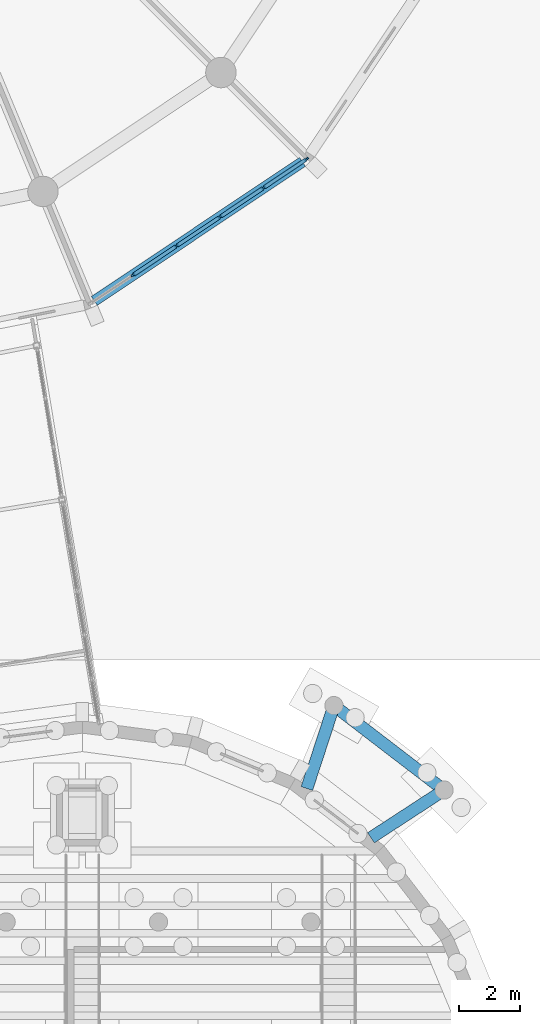
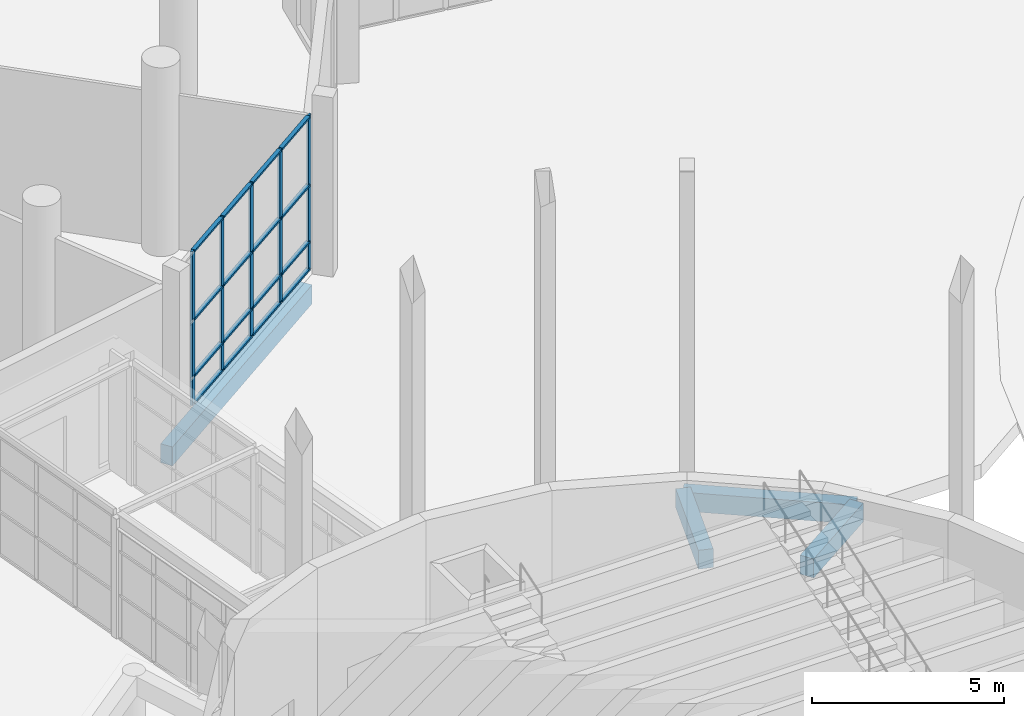
# One storey, part 63 of 226: 21 members, 4 beams, 1 element without a shape of its own.
"""IFC4 building model written with IfcOpenShell, lengths in metres."""

from ifc_helpers import new_model, si_unit, direction, frame, origin, origin_2d, place, context, subcontext, project, spatial, rectangle, extrude, material, material_profile, profile_set, type_object, element, aggregate, save


model = new_model("IFC4")

# Units and contexts
model_context = context("Model", 3, precision=1e-05, world=origin(), true_north=direction((0.0, 1.0)))
body_context = subcontext(model_context, "Body", "Model", "MODEL_VIEW")
ifc_project = project(units=[si_unit("LENGTHUNIT", "METRE"), si_unit("AREAUNIT", "SQUARE_METRE"), si_unit("VOLUMEUNIT", "CUBIC_METRE"), si_unit("PLANEANGLEUNIT", "RADIAN"), si_unit("MASSUNIT", "GRAM", prefix="KILO")], contexts=[model_context])

# Site, building, storey
site_placement = place(None, origin())
site = spatial("IfcSite", under=ifc_project, at=site_placement, CompositionType="ELEMENT")
building_placement = place(site_placement, origin())
building = spatial("IfcBuilding", under=site, at=building_placement, Name="Ceibo Conservatory and Research Tower", CompositionType="ELEMENT")
storey_placement = place(building_placement, origin())
storey = spatial("IfcBuildingStorey", under=building, at=storey_placement, Name="L00", CompositionType="ELEMENT", Elevation=0.0)

# Curtain wall, members
ifc_material_1 = material(Name="Aluminium and glass", Category="aluminium")
curtain_wall_type = type_object("IfcCurtainWallType", Name="Curtain wall CW1", PredefinedType="NOTDEFINED", material=ifc_material_1)
curtain_wall_placement = place(storey_placement, origin())
curtain_wall = element("IfcCurtainWall", 1, at=curtain_wall_placement, inside=storey, type_object=curtain_wall_type, Name="CW-00.14", PredefinedType="NOTDEFINED")
ifc_material_2 = material(Name="Aluminium", Category="aluminium")
ifc_material_profile_1 = material_profile(ifc_material_2, rectangle(XDim=0.06005859375, YDim=0.159912109375, at=origin_2d()), Name="Aluminium 60 x 160")
ifc_profile_set_1 = profile_set([ifc_material_profile_1], Name="Aluminium")
member_type_1 = type_object("IfcMemberType", Name="Aluminium mullion 60 x 160", PredefinedType="MULLION", material=ifc_profile_set_1)
member_1_placement = place(storey_placement, frame((57.846435546875, 100.62841796875, 0.0), z_axis=(0.0, 0.0, 1.0), x_axis=(-0.555570307219, 0.831469562724, 0.0)))
member_1 = element("IfcMember", 2, at=member_1_placement, type_object=member_type_1, Name="CW-00.14 mullion 2", PredefinedType="MULLION", context=body_context, shape_type="SweptSolid", body=[
    extrude(rectangle(XDim=0.06005859375, YDim=0.159912109375, at=origin_2d()), origin(), (0.0, 0.0, 1.0), 4.89990234375),
])
member_2_placement = place(storey_placement, frame((59.27392578125, 101.582275390625, 0.0), z_axis=(0.0, 0.0, 1.0), x_axis=(-0.555570307219, 0.831469562724, 0.0)))
member_2 = element("IfcMember", 3, at=member_2_placement, type_object=member_type_1, Name="CW-00.14 mullion 3", PredefinedType="MULLION", context=body_context, shape_type="SweptSolid", body=[
    extrude(rectangle(XDim=0.06005859375, YDim=0.159912109375, at=origin_2d()), origin(), (0.0, 0.0, 1.0), 4.89990234375),
])
member_3_placement = place(storey_placement, frame((60.701416015625, 102.5361328125, 0.0), z_axis=(0.0, 0.0, 1.0), x_axis=(-0.555570307219, 0.831469562724, 0.0)))
member_3 = element("IfcMember", 4, at=member_3_placement, type_object=member_type_1, Name="CW-00.14 mullion 4", PredefinedType="MULLION", context=body_context, shape_type="SweptSolid", body=[
    extrude(rectangle(XDim=0.06005859375, YDim=0.159912109375, at=origin_2d()), origin(), (0.0, 0.0, 1.0), 4.89990234375),
])
member_4_placement = place(storey_placement, frame((62.12890625, 103.48974609375, 0.0), z_axis=(0.0, 0.0, 1.0), x_axis=(-0.555570307219, 0.831469562724, 0.0)))
member_4 = element("IfcMember", 5, at=member_4_placement, type_object=member_type_1, Name="CW-00.14 mullion 5", PredefinedType="MULLION", context=body_context, shape_type="SweptSolid", body=[
    extrude(rectangle(XDim=0.06005859375, YDim=0.159912109375, at=origin_2d()), origin(), (0.0, 0.0, 1.0), 4.89990234375),
])
member_5_placement = place(storey_placement, frame((63.531494140625, 104.427001953125, 0.0), z_axis=(0.0, 0.0, 1.0), x_axis=(-0.555570307219, 0.831469562724, 0.0)))
member_5 = element("IfcMember", 6, at=member_5_placement, type_object=member_type_1, Name="CW-00.14 mullion 6", PredefinedType="MULLION", context=body_context, shape_type="SweptSolid", body=[
    extrude(rectangle(XDim=0.06005859375, YDim=0.159912109375, at=origin_2d()), origin(), (0.0, 0.0, 1.0), 4.89990234375),
])
ifc_material_profile_2 = material_profile(ifc_material_2, rectangle(XDim=0.1201171875, YDim=0.06005859375, at=origin_2d()), Name="Aluminium 60 x 120")
ifc_profile_set_2 = profile_set([ifc_material_profile_2], Name="Aluminium")
member_type_2 = type_object("IfcMemberType", Name="Aluminium transom 60 x 120", PredefinedType="USERDEFINED", material=ifc_profile_set_2)
member_6_placement = place(storey_placement, frame((57.871337890625, 100.64501953125, 0.030029296875), z_axis=(0.831437761556, 0.555617898073, 0.0), x_axis=(-0.555617898073, 0.831437761556, 0.0)))
member_6 = element("IfcMember", 7, at=member_6_placement, type_object=member_type_2, Name="CW-00.14 transom 2.1", ObjectType="TRANSOM", PredefinedType="USERDEFINED", context=body_context, shape_type="SweptSolid", body=[
    extrude(rectangle(XDim=0.1201171875, YDim=0.06005859375, at=origin_2d()), origin(), (0.0, 0.0, 1.0), 1.656982421875),
])
member_7_placement = place(storey_placement, frame((57.871337890625, 100.64501953125, 0.89990234375), z_axis=(0.831437761556, 0.555617898073, 0.0), x_axis=(-0.555617898073, 0.831437761556, 0.0)))
member_7 = element("IfcMember", 8, at=member_7_placement, type_object=member_type_2, Name="CW-00.14 transom 2.2", ObjectType="TRANSOM", PredefinedType="USERDEFINED", context=body_context, shape_type="SweptSolid", body=[
    extrude(rectangle(XDim=0.1201171875, YDim=0.06005859375, at=origin_2d()), origin(), (0.0, 0.0, 1.0), 1.656982421875),
])
member_8_placement = place(storey_placement, frame((57.871337890625, 100.64501953125, 2.699951171875), z_axis=(0.831437761556, 0.555617898073, 0.0), x_axis=(-0.555617898073, 0.831437761556, 0.0)))
member_8 = element("IfcMember", 9, at=member_8_placement, type_object=member_type_2, Name="CW-00.14 transom 2.3", ObjectType="TRANSOM", PredefinedType="USERDEFINED", context=body_context, shape_type="SweptSolid", body=[
    extrude(rectangle(XDim=0.1201171875, YDim=0.06005859375, at=origin_2d()), origin(), (0.0, 0.0, 1.0), 1.656982421875),
])
member_9_placement = place(storey_placement, frame((57.871337890625, 100.64501953125, 4.8701171875), z_axis=(0.831437761556, 0.555617898073, 0.0), x_axis=(-0.555617898073, 0.831437761556, 0.0)))
member_9 = element("IfcMember", 10, at=member_9_placement, type_object=member_type_2, Name="CW-00.14 transom 2.4", ObjectType="TRANSOM", PredefinedType="USERDEFINED", context=body_context, shape_type="SweptSolid", body=[
    extrude(rectangle(XDim=0.1201171875, YDim=0.06005859375, at=origin_2d()), origin(), (0.0, 0.0, 1.0), 1.656982421875),
])
member_10_placement = place(storey_placement, frame((59.298828125, 101.598876953125, 0.030029296875), z_axis=(0.831505826173, 0.555516031308, 0.0), x_axis=(-0.555516031308, 0.831505826173, 0.0)))
member_10 = element("IfcMember", 11, at=member_10_placement, type_object=member_type_2, Name="CW-00.14 transom 3.1", ObjectType="TRANSOM", PredefinedType="USERDEFINED", context=body_context, shape_type="SweptSolid", body=[
    extrude(rectangle(XDim=0.1201171875, YDim=0.06005859375, at=origin_2d()), origin(), (0.0, 0.0, 1.0), 1.65673828125),
])
member_11_placement = place(storey_placement, frame((59.298828125, 101.598876953125, 0.89990234375), z_axis=(0.831505826173, 0.555516031308, 0.0), x_axis=(-0.555516031308, 0.831505826173, 0.0)))
member_11 = element("IfcMember", 12, at=member_11_placement, type_object=member_type_2, Name="CW-00.14 transom 3.2", ObjectType="TRANSOM", PredefinedType="USERDEFINED", context=body_context, shape_type="SweptSolid", body=[
    extrude(rectangle(XDim=0.1201171875, YDim=0.06005859375, at=origin_2d()), origin(), (0.0, 0.0, 1.0), 1.65673828125),
])
member_12_placement = place(storey_placement, frame((59.298828125, 101.598876953125, 2.699951171875), z_axis=(0.831505826173, 0.555516031308, 0.0), x_axis=(-0.555516031308, 0.831505826173, 0.0)))
member_12 = element("IfcMember", 13, at=member_12_placement, type_object=member_type_2, Name="CW-00.14 transom 3.3", ObjectType="TRANSOM", PredefinedType="USERDEFINED", context=body_context, shape_type="SweptSolid", body=[
    extrude(rectangle(XDim=0.1201171875, YDim=0.06005859375, at=origin_2d()), origin(), (0.0, 0.0, 1.0), 1.65673828125),
])
member_13_placement = place(storey_placement, frame((59.298828125, 101.598876953125, 4.8701171875), z_axis=(0.831505826173, 0.555516031308, 0.0), x_axis=(-0.555516031308, 0.831505826173, 0.0)))
member_13 = element("IfcMember", 14, at=member_13_placement, type_object=member_type_2, Name="CW-00.14 transom 3.4", ObjectType="TRANSOM", PredefinedType="USERDEFINED", context=body_context, shape_type="SweptSolid", body=[
    extrude(rectangle(XDim=0.1201171875, YDim=0.06005859375, at=origin_2d()), origin(), (0.0, 0.0, 1.0), 1.65673828125),
])
member_14_placement = place(storey_placement, frame((60.726318359375, 102.552734375, 0.030029296875), z_axis=(0.831505826173, 0.555516031308, 0.0), x_axis=(-0.555516031308, 0.831505826173, 0.0)))
member_14 = element("IfcMember", 15, at=member_14_placement, type_object=member_type_2, Name="CW-00.14 transom 4.1", ObjectType="TRANSOM", PredefinedType="USERDEFINED", context=body_context, shape_type="SweptSolid", body=[
    extrude(rectangle(XDim=0.1201171875, YDim=0.06005859375, at=origin_2d()), origin(), (0.0, 0.0, 1.0), 1.65673828125),
])
member_15_placement = place(storey_placement, frame((60.726318359375, 102.552734375, 0.89990234375), z_axis=(0.831505826173, 0.555516031308, 0.0), x_axis=(-0.555516031308, 0.831505826173, 0.0)))
member_15 = element("IfcMember", 16, at=member_15_placement, type_object=member_type_2, Name="CW-00.14 transom 4.2", ObjectType="TRANSOM", PredefinedType="USERDEFINED", context=body_context, shape_type="SweptSolid", body=[
    extrude(rectangle(XDim=0.1201171875, YDim=0.06005859375, at=origin_2d()), origin(), (0.0, 0.0, 1.0), 1.65673828125),
])
member_16_placement = place(storey_placement, frame((60.726318359375, 102.552734375, 2.699951171875), z_axis=(0.831505826173, 0.555516031308, 0.0), x_axis=(-0.555516031308, 0.831505826173, 0.0)))
member_16 = element("IfcMember", 17, at=member_16_placement, type_object=member_type_2, Name="CW-00.14 transom 4.3", ObjectType="TRANSOM", PredefinedType="USERDEFINED", context=body_context, shape_type="SweptSolid", body=[
    extrude(rectangle(XDim=0.1201171875, YDim=0.06005859375, at=origin_2d()), origin(), (0.0, 0.0, 1.0), 1.65673828125),
])
member_17_placement = place(storey_placement, frame((60.726318359375, 102.552734375, 4.8701171875), z_axis=(0.831505826173, 0.555516031308, 0.0), x_axis=(-0.555516031308, 0.831505826173, 0.0)))
member_17 = element("IfcMember", 18, at=member_17_placement, type_object=member_type_2, Name="CW-00.14 transom 4.4", ObjectType="TRANSOM", PredefinedType="USERDEFINED", context=body_context, shape_type="SweptSolid", body=[
    extrude(rectangle(XDim=0.1201171875, YDim=0.06005859375, at=origin_2d()), origin(), (0.0, 0.0, 1.0), 1.65673828125),
])
member_18_placement = place(storey_placement, frame((62.15380859375, 103.506591796875, 0.030029296875), z_axis=(0.831449482525, 0.555600358179, 0.0), x_axis=(-0.555600358179, 0.831449482525, 0.0)))
member_18 = element("IfcMember", 19, at=member_18_placement, type_object=member_type_2, Name="CW-00.14 transom 5.1", ObjectType="TRANSOM", PredefinedType="USERDEFINED", context=body_context, shape_type="SweptSolid", body=[
    extrude(rectangle(XDim=0.1201171875, YDim=0.06005859375, at=origin_2d()), origin(), (0.0, 0.0, 1.0), 1.626708984375),
])
member_19_placement = place(storey_placement, frame((62.15380859375, 103.506591796875, 0.89990234375), z_axis=(0.831449482525, 0.555600358179, 0.0), x_axis=(-0.555600358179, 0.831449482525, 0.0)))
member_19 = element("IfcMember", 20, at=member_19_placement, type_object=member_type_2, Name="CW-00.14 transom 5.2", ObjectType="TRANSOM", PredefinedType="USERDEFINED", context=body_context, shape_type="SweptSolid", body=[
    extrude(rectangle(XDim=0.1201171875, YDim=0.06005859375, at=origin_2d()), origin(), (0.0, 0.0, 1.0), 1.626708984375),
])
member_20_placement = place(storey_placement, frame((62.15380859375, 103.506591796875, 2.699951171875), z_axis=(0.831449482525, 0.555600358179, 0.0), x_axis=(-0.555600358179, 0.831449482525, 0.0)))
member_20 = element("IfcMember", 21, at=member_20_placement, type_object=member_type_2, Name="CW-00.14 transom 5.3", ObjectType="TRANSOM", PredefinedType="USERDEFINED", context=body_context, shape_type="SweptSolid", body=[
    extrude(rectangle(XDim=0.1201171875, YDim=0.06005859375, at=origin_2d()), origin(), (0.0, 0.0, 1.0), 1.626708984375),
])
member_21_placement = place(storey_placement, frame((62.15380859375, 103.506591796875, 4.8701171875), z_axis=(0.831449482525, 0.555600358179, 0.0), x_axis=(-0.555600358179, 0.831449482525, 0.0)))
member_21 = element("IfcMember", 22, at=member_21_placement, type_object=member_type_2, Name="CW-00.14 transom 5.4", ObjectType="TRANSOM", PredefinedType="USERDEFINED", context=body_context, shape_type="SweptSolid", body=[
    extrude(rectangle(XDim=0.1201171875, YDim=0.06005859375, at=origin_2d()), origin(), (0.0, 0.0, 1.0), 1.626708984375),
])
aggregate(curtain_wall, [member_1, member_2, member_3, member_4, member_5, member_6, member_7, member_8, member_9, member_10, member_11, member_12, member_13, member_14, member_15, member_16, member_17, member_18, member_19, member_20, member_21])

# Beams
ifc_material_3 = material(Name="Concrete C35/45", Category="concrete")
ifc_material_profile_3 = material_profile(ifc_material_3, rectangle(XDim=0.35009765625, YDim=0.60009765625, at=origin_2d()), Name="RC 350x600")
ifc_profile_set_3 = profile_set([ifc_material_profile_3], Name="Concrete C35/45")
beam_type_1 = type_object("IfcBeamType", Name="RC beam 350x600 C35", PredefinedType="BEAM", material=ifc_profile_set_3)
beam_1_placement = place(storey_placement, frame((56.572021484375, 99.77685546875, -0.64990234375), z_axis=(0.831460092327, 0.555584480406, 0.0), x_axis=(-0.555584480406, 0.831460092327, 0.0)))
element("IfcBeam", 23, at=beam_1_placement, inside=storey, type_object=beam_type_1, Name="Edge beam 14 L00", PredefinedType="BEAM", context=body_context, shape_type="SweptSolid", body=[
    extrude(rectangle(XDim=0.35009765625, YDim=0.60009765625, at=origin_2d()), origin(), (0.0, 0.0, 1.0), 8.216064453125),
])
ifc_material_profile_4 = material_profile(ifc_material_3, rectangle(XDim=0.39990234375, YDim=0.60009765625, at=origin_2d()), Name="RC 400x600")
ifc_profile_set_4 = profile_set([ifc_material_profile_4], Name="Concrete C35/45")
beam_type_2 = type_object("IfcBeamType", Name="RC beam 400x600 C35", PredefinedType="BEAM", material=ifc_profile_set_4)
beam_2_placement = place(storey_placement, frame((68.0498046875, 83.72802734375, 3.300048828125), z_axis=(-0.793358692504, 0.608754453805, 0.0), x_axis=(-0.608754453805, -0.793358692504, 0.0)))
element("IfcBeam", 24, at=beam_2_placement, inside=storey, type_object=beam_type_2, Name="Canopy edge beam F04", PredefinedType="BEAM", context=body_context, shape_type="SweptSolid", body=[
    extrude(rectangle(XDim=0.39990234375, YDim=0.60009765625, at=origin_2d()), origin(), (0.0, 0.0, 1.0), 4.5546875),
])
for number, where, z_axis, x_axis, name in (
    (25, (68.0498046875, 83.72802734375, 3.300048828125), (-0.837585143535, -0.546306806959, 0.0), (0.546306806959, -0.837585143535, 0.0), "Canopy side beam F04-1"),
    (26, (64.436279296875, 86.500732421875, 3.300048828125), (-0.310900379459, -0.950442504338, 0.0), (0.950442504338, -0.310900379459, 0.0), "Canopy side beam F04-2"),
):
    element("IfcBeam", number, at=place(storey_placement, frame(where, z_axis=z_axis, x_axis=x_axis)), inside=storey, type_object=beam_type_2, Name=name, PredefinedType="BEAM", context=body_context, shape_type="SweptSolid", body=[
        extrude(rectangle(XDim=0.39990234375, YDim=0.60009765625, at=origin_2d()), origin(), (0.0, 0.0, 1.0), 2.8623046875),
    ])

save(model, "model.ifc")
